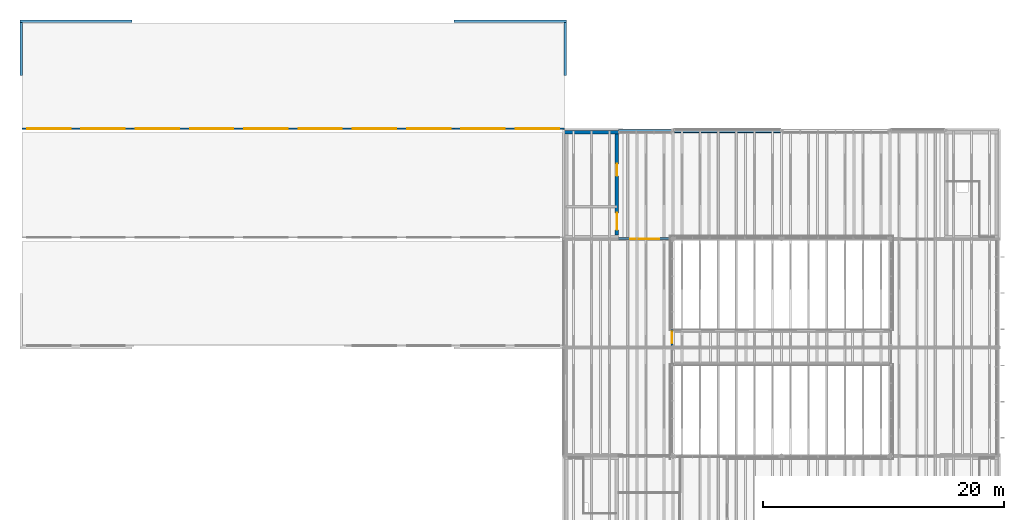
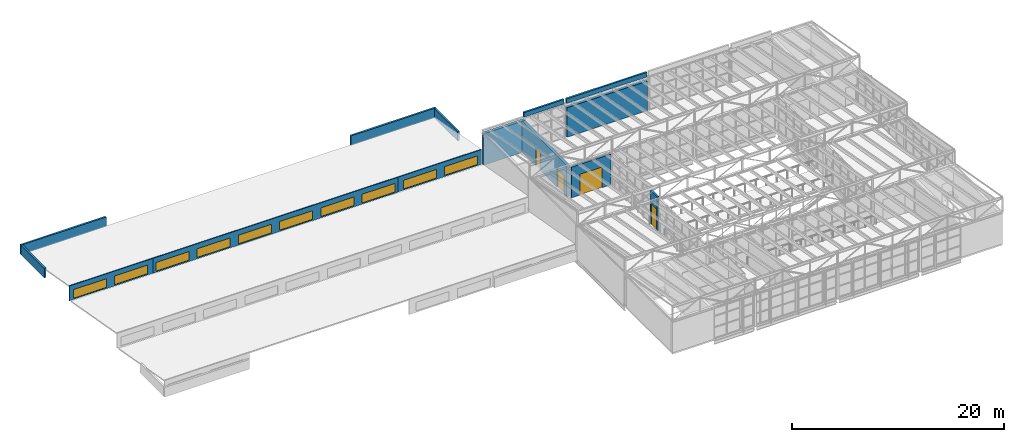
"""IFC4 building model written with IfcOpenShell, lengths in metres."""

from ifc_helpers import new_model, si_unit, direction, frame, frame_2d, origin, place, context, subcontext, project, spatial, rectangle, extrude, material, layer, layer_set, type_object, element, fill, save


model = new_model("IFC4")

# Units and contexts
model_context = context("Model", 3, precision=1e-05, world=origin(), true_north=direction((0.0, 1.0)))
body_context = subcontext(model_context, "Body", "Model", "MODEL_VIEW")
ifc_project = project(units=[si_unit("LENGTHUNIT", "METRE"), si_unit("AREAUNIT", "SQUARE_METRE"), si_unit("VOLUMEUNIT", "CUBIC_METRE"), si_unit("PLANEANGLEUNIT", "RADIAN"), si_unit("MASSUNIT", "GRAM", prefix="KILO")], contexts=[model_context])

# Site, building, storey
site_placement = place(None, origin())
site = spatial("IfcSite", under=ifc_project, at=site_placement, CompositionType="ELEMENT")
building_placement = place(site_placement, origin())
building = spatial("IfcBuilding", under=site, at=building_placement, Name="Halyard Row Museum", CompositionType="ELEMENT")
storey_1_placement = place(building_placement, frame((0.0, 0.0, 21.199951171875)))
storey_1 = spatial("IfcBuildingStorey", under=building, at=storey_1_placement, Name="L04", CompositionType="ELEMENT", Elevation=21.199951171875)

# Wall, openings, doors
ifc_material_1 = material(Name="Concrete 40 MPa", Category="concrete")
ifc_layer_1 = layer(ifc_material_1, 0.300048828125)
ifc_layer_set_1 = layer_set([ifc_layer_1], Name="Concrete 40 MPa")
wall_type_1 = type_object("IfcWallType", Name="Core wall 300 lift shaft", PredefinedType="SOLIDWALL", material=ifc_layer_set_1)
wall_1_placement = place(storey_1_placement, frame((76.35009765625, 27.300048828125, 0.0), z_axis=(0.0, 0.0, 1.0), x_axis=(0.0, 1.0, 0.0)))
wall_1 = element("IfcWall", 1, at=wall_1_placement, inside=storey_1, type_object=wall_type_1, Name="Core wall K7 E L04", PredefinedType="SOLIDWALL", context=body_context, shape_type="SweptSolid", body=[
    extrude(rectangle(XDim=8.39990234375, YDim=0.300048828125, at=frame_2d((4.199951171875, 0.0))), origin(), (0.0, 0.0, 1.0), 3.628173828125),
])
opening_1_placement = place(wall_1_placement, frame((0.449951171875, 0.0, 0.0)))
opening_1 = element("IfcOpeningElement", 2, at=opening_1_placement, cuts=wall_1, Name="Opening LDPL1-L04", PredefinedType="OPENING", context=body_context, shape_type="SweptSolid", body=[
    extrude(rectangle(XDim=1.39990234375, YDim=2.10009765625, at=frame_2d((0.699951171875, 1.050048828125))), frame((0.0, 0.159912109375, 0.0), z_axis=(0.0, -1.0, 0.0), x_axis=(1.0, 0.0, 0.0)), (0.0, 0.0, 1.0), 0.320068359375),
])
opening_2_placement = place(wall_1_placement, frame((4.925048828125, 0.0, 0.0)))
opening_2 = element("IfcOpeningElement", 3, at=opening_2_placement, cuts=wall_1, Name="Opening DL04-004", PredefinedType="OPENING", context=body_context, shape_type="SweptSolid", body=[
    extrude(rectangle(XDim=1.0, YDim=2.10009765625, at=frame_2d((0.5, 1.050048828125))), frame((0.0, 0.159912109375, 0.0), z_axis=(0.0, -1.0, 0.0), x_axis=(1.0, 0.0, 0.0)), (0.0, 0.0, 1.0), 0.320068359375),
])
ifc_material_2 = material(Name="Stainless steel sliding car and landing doors", Category="steel")
door_type_1 = type_object("IfcDoorType", Name="Lift landing door 1400 x 2100", OperationType="SLIDING_TO_LEFT", PredefinedType="DOOR", material=ifc_material_2)
door_1_placement = place(opening_1_placement, origin())
door_1 = element("IfcDoor", 4, at=door_1_placement, inside=storey_1, type_object=door_type_1, Name="Landing door PL1 E L04", OperationType="SLIDING_TO_LEFT", OverallHeight=2.10009765625, OverallWidth=1.39990234375, PredefinedType="DOOR", context=body_context, shape_type="SweptSolid", body=[
    extrude(rectangle(XDim=1.39990234375, YDim=2.10009765625, at=frame_2d((0.699951171875, 1.050048828125))), frame((0.0, 0.02490234375, 0.0), z_axis=(0.0, -1.0, 0.0), x_axis=(1.0, 0.0, 0.0)), (0.0, 0.0, 1.0), 0.050048828125),
])
fill(opening_1, door_1)
ifc_material_3 = material(Name="Galvanised steel door leaf and frame", Category="steel")
door_type_2 = type_object("IfcDoorType", Name="Riser door 1000 x 2100 fire rated", OperationType="NOTDEFINED", PredefinedType="DOOR", material=ifc_material_3)
door_2_placement = place(opening_2_placement, frame((1.0, 0.0, 0.0), z_axis=(0.0, 0.0, 1.0), x_axis=(-1.0, 0.0, 0.0)))
door_2 = element("IfcDoor", 5, at=door_2_placement, inside=storey_1, type_object=door_type_2, Name="Riser door K7 L04", OperationType="SINGLE_SWING_RIGHT", OverallHeight=2.10009765625, OverallWidth=1.0, PredefinedType="DOOR", context=body_context, shape_type="SweptSolid", body=[
    extrude(rectangle(XDim=1.0, YDim=2.10009765625, at=frame_2d((0.5, 1.050048828125))), frame((0.0, 0.02490234375, 0.0), z_axis=(0.0, -1.0, 0.0), x_axis=(1.0, 0.0, 0.0)), (0.0, 0.0, 1.0), 0.050048828125),
])
fill(opening_2, door_2)

# Wall
wall_2_placement = place(storey_1_placement, frame((72.0, 35.85009765625, 0.0), z_axis=(0.0, 0.0, 1.0), x_axis=(1.0, 0.0, 0.0)))
element("IfcWall", 6, at=wall_2_placement, inside=storey_1, type_object=wall_type_1, Name="Core wall K7 N L04", PredefinedType="SOLIDWALL", context=body_context, shape_type="SweptSolid", body=[
    extrude(rectangle(XDim=4.5, YDim=0.300048828125, at=frame_2d((2.25, 0.0))), origin(), (0.0, 0.0, 1.0), 3.628173828125),
])

# Wall, opening, door
ifc_material_4 = material(Name="Powder-coated aluminium section", Category="aluminium")
ifc_layer_2 = layer(ifc_material_4, 0.199951171875)
ifc_layer_set_2 = layer_set([ifc_layer_2], Name="Powder-coated aluminium section")
wall_type_2 = type_object("IfcWallType", Name="Fire-resisting screen frame 200", PredefinedType="SOLIDWALL", material=ifc_layer_set_2)
wall_3_placement = place(storey_1_placement, frame((80.919921875, 18.177734375, 0.0), z_axis=(0.0, 0.0, 1.0), x_axis=(0.0, 1.0, 0.0)))
wall_3 = element("IfcWall", 7, at=wall_3_placement, inside=storey_1, type_object=wall_type_2, Name="Wall WL04-806", PredefinedType="SOLIDWALL", context=body_context, shape_type="SweptSolid", body=[
    extrude(rectangle(XDim=1.322265625, YDim=0.199951171875, at=frame_2d((0.6611328125, 0.0))), origin(), (0.0, 0.0, 1.0), 3.878173828125),
])
opening_3_placement = place(wall_3_placement, frame((0.1611328125, 0.0, 0.0)))
opening_3 = element("IfcOpeningElement", 8, at=opening_3_placement, cuts=wall_3, Name="Opening DL04-402", PredefinedType="OPENING", context=body_context, shape_type="SweptSolid", body=[
    extrude(rectangle(XDim=1.0, YDim=2.39990234375, at=frame_2d((0.5, 1.199951171875))), frame((0.0, 0.10986328125, 0.0), z_axis=(0.0, -1.0, 0.0), x_axis=(1.0, 0.0, 0.0)), (0.0, 0.0, 1.0), 0.219970703125),
])
ifc_material_5 = material(Name="Powder-coated aluminium section", Category="aluminium")
door_type_3 = type_object("IfcDoorType", Name="Door DE10 atrium screen single 1000 x 2400", OperationType="NOTDEFINED", PredefinedType="DOOR", material=ifc_material_5)
door_3_placement = place(opening_3_placement, origin())
door_3 = element("IfcDoor", 9, at=door_3_placement, inside=storey_1, type_object=door_type_3, Name="Door DL04-402", OperationType="SINGLE_SWING_LEFT", OverallHeight=2.39990234375, OverallWidth=1.0, PredefinedType="DOOR", context=body_context, shape_type="SweptSolid", body=[
    extrude(rectangle(XDim=1.0, YDim=2.39990234375, at=frame_2d((0.5, 1.199951171875))), frame((0.0, 0.02490234375, 0.0), z_axis=(0.0, -1.0, 0.0), x_axis=(1.0, 0.0, 0.0)), (0.0, 0.0, 1.0), 0.050048828125),
])
fill(opening_3, door_3)

ifc_material_6 = material(Name="Plasterboard on steel studs with mineral wool", Category="steel")
ifc_layer_3 = layer(ifc_material_6, 0.199951171875)
ifc_layer_set_3 = layer_set([ifc_layer_3], Name="Plasterboard on steel studs with mineral wool")
wall_type_3 = type_object("IfcWallType", Name="Gallery wall 200 double stud fire rated", PredefinedType="PARTITIONING", material=ifc_layer_set_3)
wall_4_placement = place(storey_1_placement, frame((76.5, 27.0, 0.0), z_axis=(0.0, 0.0, 1.0), x_axis=(1.0, 0.0, 0.0)))
wall_4 = element("IfcWall", 10, at=wall_4_placement, inside=storey_1, type_object=wall_type_3, Name="Partition Skylit Gallery West / Lift Lobby L04", PredefinedType="PARTITIONING", context=body_context, shape_type="SweptSolid", body=[
    extrude(rectangle(XDim=4.322265625, YDim=0.199951171875, at=frame_2d((2.1611328125, 0.0))), origin(), (0.0, 0.0, 1.0), 3.539794921875),
])
opening_4_placement = place(wall_4_placement, frame((0.955078125, 0.0, 0.0)))
opening_4 = element("IfcOpeningElement", 11, at=opening_4_placement, cuts=wall_4, Name="Opening DL04-006", PredefinedType="OPENING", context=body_context, shape_type="SweptSolid", body=[
    extrude(rectangle(XDim=2.39990234375, YDim=2.39990234375, at=frame_2d((1.199951171875, 1.199951171875))), frame((0.0, 0.10986328125, 0.0), z_axis=(0.0, -1.0, 0.0), x_axis=(1.0, 0.0, 0.0)), (0.0, 0.0, 1.0), 0.219970703125),
])
ifc_material_7 = material(Name="Timber veneered door leaf and softwood frame", Category="wood")
door_type_4 = type_object("IfcDoorType", Name="Double door 2400 x 2400 gallery fire rated", OperationType="NOTDEFINED", PredefinedType="DOOR", material=ifc_material_7)
door_4_placement = place(opening_4_placement, frame((2.39990234375, 0.0, 0.0), z_axis=(0.0, 0.0, 1.0), x_axis=(-1.0, 0.0, 0.0)))
door_4 = element("IfcDoor", 12, at=door_4_placement, inside=storey_1, type_object=door_type_4, Name="Door Skylit Gallery West to Lift Lobby L04", OperationType="DOUBLE_DOOR_SINGLE_SWING", OverallHeight=2.39990234375, OverallWidth=2.39990234375, PredefinedType="DOOR", context=body_context, shape_type="SweptSolid", body=[
    extrude(rectangle(XDim=2.39990234375, YDim=2.39990234375, at=frame_2d((1.199951171875, 1.199951171875))), frame((0.0, 0.02490234375, 0.0), z_axis=(0.0, -1.0, 0.0), x_axis=(1.0, 0.0, 0.0)), (0.0, 0.0, 1.0), 0.050048828125),
])
fill(opening_4, door_4)

# Walls
ifc_material_8 = material(Name="Fire-retardant timber rainscreen on insulated steel-stud wall", Category="steel")
ifc_layer_4 = layer(ifc_material_8, 0.199951171875)
ifc_layer_set_4 = layer_set([ifc_layer_4], Name="Fire-retardant timber rainscreen on insulated steel-stud wall")
wall_type_4 = type_object("IfcWallType", Name="Parapet 200 timber-clad", PredefinedType="PARAPET", material=ifc_layer_set_4)
wall_5_placement = place(storey_1_placement, frame((81.125, 35.909912109375, 3.878173828125), z_axis=(0.0, 0.0, 1.0), x_axis=(1.0, 0.0, 0.0)))
element("IfcWall", 13, at=wall_5_placement, inside=storey_1, type_object=wall_type_4, Name="Wall PAL04-51", PredefinedType="PARAPET", context=body_context, shape_type="SweptSolid", body=[
    extrude(rectangle(XDim=8.77490234375, YDim=0.199951171875, at=frame_2d((4.387451171875, 0.0))), origin(), (0.0, 0.0, 1.0), 0.52197265625),
])
wall_6_placement = place(storey_1_placement, frame((76.5, 35.9599609375, 3.878173828125), z_axis=(0.0, 0.0, 1.0), x_axis=(1.0, 0.0, 0.0)))
element("IfcWall", 14, at=wall_6_placement, inside=storey_1, type_object=wall_type_4, Name="Wall PAL04-53", PredefinedType="PARAPET", context=body_context, shape_type="SweptSolid", body=[
    extrude(rectangle(XDim=4.375, YDim=0.199951171875, at=frame_2d((2.1875, 0.0))), origin(), (0.0, 0.0, 1.0), 0.52197265625),
])
ifc_material_9 = material(Name="Fire-retardant timber rainscreen on insulated steel-stud wall", Category="steel")
ifc_layer_5 = layer(ifc_material_9, 0.300048828125)
ifc_layer_set_5 = layer_set([ifc_layer_5], Name="Fire-retardant timber rainscreen on insulated steel-stud wall")
wall_type_5 = type_object("IfcWallType", Name="Rainscreen wall 300 timber-clad", PredefinedType="SOLIDWALL", material=ifc_layer_set_5)
wall_7_placement = place(storey_1_placement, frame((81.125, 35.909912109375, 0.0), z_axis=(0.0, 0.0, 1.0), x_axis=(1.0, 0.0, 0.0)))
element("IfcWall", 15, at=wall_7_placement, inside=storey_1, type_object=wall_type_5, Name="Wall WL04-801", PredefinedType="SOLIDWALL", context=body_context, shape_type="SweptSolid", body=[
    extrude(rectangle(XDim=8.77490234375, YDim=0.300048828125, at=frame_2d((4.387451171875, 0.0))), origin(), (0.0, 0.0, 1.0), 3.419677734375),
])
ifc_material_10 = material(Name="Standing-seam roofing on insulated timber deck", Category="wood")
ifc_layer_6 = layer(ifc_material_10, 0.199951171875)
ifc_layer_set_6 = layer_set([ifc_layer_6], Name="Standing-seam roofing on insulated timber deck")
wall_type_6 = type_object("IfcWallType", Name="Roof parapet 200 timber-clad 1100", PredefinedType="PARAPET", material=ifc_layer_set_6)
wall_8_placement = place(storey_1_placement, frame((26.85009765625, 45.050048828125, -0.121826171875), z_axis=(0.0, 0.0, 1.0), x_axis=(1.0, 0.0, 0.0)))
element("IfcWall", 16, at=wall_8_placement, inside=storey_1, type_object=wall_type_6, Name="Wall PAC-01", PredefinedType="PARAPET", context=body_context, shape_type="SweptSolid", body=[
    extrude(rectangle(XDim=9.2998046875, YDim=0.199951171875, at=frame_2d((4.64990234375, 0.0))), origin(), (0.0, 0.0, 1.0), 1.10009765625),
])
wall_9_placement = place(storey_1_placement, frame((26.949951171875, 40.550048828125, -0.121826171875), z_axis=(0.0, 0.0, 1.0), x_axis=(0.0, 1.0, 0.0)))
element("IfcWall", 17, at=wall_9_placement, inside=storey_1, type_object=wall_type_6, Name="Wall PAC-02", PredefinedType="PARAPET", context=body_context, shape_type="SweptSolid", body=[
    extrude(rectangle(XDim=4.39990234375, YDim=0.199951171875, at=frame_2d((2.199951171875, 0.0))), origin(), (0.0, 0.0, 1.0), 1.10009765625),
])
wall_10_placement = place(storey_1_placement, frame((62.85009765625, 45.050048828125, -0.121826171875), z_axis=(0.0, 0.0, 1.0), x_axis=(1.0, 0.0, 0.0)))
element("IfcWall", 18, at=wall_10_placement, inside=storey_1, type_object=wall_type_6, Name="Wall PAC-03", PredefinedType="PARAPET", context=body_context, shape_type="SweptSolid", body=[
    extrude(rectangle(XDim=9.2998046875, YDim=0.199951171875, at=frame_2d((4.64990234375, 0.0))), origin(), (0.0, 0.0, 1.0), 1.10009765625),
])
wall_11_placement = place(storey_1_placement, frame((72.050048828125, 40.550048828125, -0.121826171875), z_axis=(0.0, 0.0, 1.0), x_axis=(0.0, 1.0, 0.0)))
element("IfcWall", 19, at=wall_11_placement, inside=storey_1, type_object=wall_type_6, Name="Wall PAC-04", PredefinedType="PARAPET", context=body_context, shape_type="SweptSolid", body=[
    extrude(rectangle(XDim=4.39990234375, YDim=0.199951171875, at=frame_2d((2.199951171875, 0.0))), origin(), (0.0, 0.0, 1.0), 1.10009765625),
])

# Wall, openings
ifc_material_11 = material(Name="Insulated steel-stud upstand with aluminium cladding", Category="steel")
ifc_layer_7 = layer(ifc_material_11, 0.10009765625)
ifc_layer_set_7 = layer_set([ifc_layer_7], Name="Insulated steel-stud upstand with aluminium cladding")
wall_type_7 = type_object("IfcWallType", Name="Rooflight upstand wall 100", PredefinedType="SOLIDWALL", material=ifc_layer_set_7)
wall_12_placement = place(storey_1_placement, frame((27.0, 36.12451171875, -0.121826171875), z_axis=(0.0, 0.0, 1.0), x_axis=(1.0, 0.0, 0.0)))
wall_12 = element("IfcWall", 20, at=wall_12_placement, inside=storey_1, type_object=wall_type_7, Name="Wall UWV1-T3a-1", PredefinedType="SOLIDWALL", context=body_context, shape_type="SweptSolid", body=[
    extrude(rectangle(XDim=9.14990234375, YDim=0.10009765625, at=frame_2d((4.574951171875, 0.0))), origin(), (0.0, 0.0, 1.0), 1.721923828125),
])
opening_5_placement = place(wall_12_placement, frame((0.449951171875, 0.0, 0.14990234375)))
opening_5 = element("IfcOpeningElement", 21, at=opening_5_placement, cuts=wall_12, Name="Opening RLV1-T3a-1-01", PredefinedType="OPENING", context=body_context, shape_type="SweptSolid", body=[
    extrude(rectangle(XDim=3.60009765625, YDim=1.0, at=frame_2d((1.800048828125, 0.5))), frame((0.0, 0.06005859375, 0.0), z_axis=(0.0, -1.0, 0.0), x_axis=(1.0, 0.0, 0.0)), (0.0, 0.0, 1.0), 0.1201171875),
])
opening_6_placement = place(wall_12_placement, frame((4.949951171875, 0.0, 0.14990234375)))
opening_6 = element("IfcOpeningElement", 22, at=opening_6_placement, cuts=wall_12, Name="Opening RLV1-T3a-1-02", PredefinedType="OPENING", context=body_context, shape_type="SweptSolid", body=[
    extrude(rectangle(XDim=3.60009765625, YDim=1.0, at=frame_2d((1.800048828125, 0.5))), frame((0.0, 0.06005859375, 0.0), z_axis=(0.0, -1.0, 0.0), x_axis=(1.0, 0.0, 0.0)), (0.0, 0.0, 1.0), 0.1201171875),
])

# Storey
storey_2_placement = place(building_placement, frame((0.0, 0.0, 13.39990234375)))
storey_2 = spatial("IfcBuildingStorey", under=building, at=storey_2_placement, Name="L03", CompositionType="ELEMENT", Elevation=13.39990234375)

# Window
ifc_material_12 = material(Name="Double glazed unit, low-emissivity", Category="glass")
window_type = type_object("IfcWindowType", Name="Rooflight 3600 x 1000 riser", PartitioningType="SINGLE_PANEL", PredefinedType="SKYLIGHT", material=ifc_material_12)
window_1_placement = place(opening_5_placement, origin())
window_1 = element("IfcWindow", 23, at=window_1_placement, inside=storey_2, type_object=window_type, Name="Rooflight", OverallHeight=1.0, OverallWidth=3.60009765625, PartitioningType="SINGLE_PANEL", PredefinedType="SKYLIGHT", context=body_context, shape_type="SweptSolid", body=[
    extrude(rectangle(XDim=3.60009765625, YDim=1.0, at=frame_2d((1.800048828125, 0.5))), frame((0.0, 0.030029296875, 0.0), z_axis=(0.0, -1.0, 0.0), x_axis=(1.0, 0.0, 0.0)), (0.0, 0.0, 1.0), 0.06005859375),
])

fill(opening_5, window_1)

window_2_placement = place(opening_6_placement, origin())
window_2 = element("IfcWindow", 24, at=window_2_placement, inside=storey_2, type_object=window_type, Name="Rooflight", OverallHeight=1.0, OverallWidth=3.60009765625, PartitioningType="SINGLE_PANEL", PredefinedType="SKYLIGHT", context=body_context, shape_type="SweptSolid", body=[
    extrude(rectangle(XDim=3.60009765625, YDim=1.0, at=frame_2d((1.800048828125, 0.5))), frame((0.0, 0.030029296875, 0.0), z_axis=(0.0, -1.0, 0.0), x_axis=(1.0, 0.0, 0.0)), (0.0, 0.0, 1.0), 0.06005859375),
])

fill(opening_6, window_2)

# Wall, openings, windows
wall_13_placement = place(storey_1_placement, frame((36.14990234375, 36.12451171875, -0.146240234375), z_axis=(0.0, 0.0, 1.0), x_axis=(1.0, 0.0, 0.0)))
wall_13 = element("IfcWall", 25, at=wall_13_placement, inside=storey_1, type_object=wall_type_7, Name="Wall UWV1-T3a-2", PredefinedType="SOLIDWALL", context=body_context, shape_type="SweptSolid", body=[
    extrude(rectangle(XDim=26.7001953125, YDim=0.10009765625, at=frame_2d((13.35009765625, 0.0))), origin(), (0.0, 0.0, 1.0), 1.746337890625),
])
opening_7_placement = place(wall_13_placement, frame((0.300048828125, 0.0, 0.14990234375)))
opening_7 = element("IfcOpeningElement", 26, at=opening_7_placement, cuts=wall_13, Name="Opening RLV1-T3a-2-01", PredefinedType="OPENING", context=body_context, shape_type="SweptSolid", body=[
    extrude(rectangle(XDim=3.60009765625, YDim=1.0, at=frame_2d((1.800048828125, 0.5))), frame((0.0, 0.06005859375, 0.0), z_axis=(0.0, -1.0, 0.0), x_axis=(1.0, 0.0, 0.0)), (0.0, 0.0, 1.0), 0.1201171875),
])
opening_8_placement = place(wall_13_placement, frame((4.800048828125, 0.0, 0.14990234375)))
opening_8 = element("IfcOpeningElement", 27, at=opening_8_placement, cuts=wall_13, Name="Opening RLV1-T3a-2-02", PredefinedType="OPENING", context=body_context, shape_type="SweptSolid", body=[
    extrude(rectangle(XDim=3.60009765625, YDim=1.0, at=frame_2d((1.800048828125, 0.5))), frame((0.0, 0.06005859375, 0.0), z_axis=(0.0, -1.0, 0.0), x_axis=(1.0, 0.0, 0.0)), (0.0, 0.0, 1.0), 0.1201171875),
])
opening_9_placement = place(wall_13_placement, frame((9.300048828125, 0.0, 0.14990234375)))
opening_9 = element("IfcOpeningElement", 28, at=opening_9_placement, cuts=wall_13, Name="Opening RLV1-T3a-2-03", PredefinedType="OPENING", context=body_context, shape_type="SweptSolid", body=[
    extrude(rectangle(XDim=3.60009765625, YDim=1.0, at=frame_2d((1.800048828125, 0.5))), frame((0.0, 0.06005859375, 0.0), z_axis=(0.0, -1.0, 0.0), x_axis=(1.0, 0.0, 0.0)), (0.0, 0.0, 1.0), 0.1201171875),
])
opening_10_placement = place(wall_13_placement, frame((13.800048828125, 0.0, 0.14990234375)))
opening_10 = element("IfcOpeningElement", 29, at=opening_10_placement, cuts=wall_13, Name="Opening RLV1-T3a-2-04", PredefinedType="OPENING", context=body_context, shape_type="SweptSolid", body=[
    extrude(rectangle(XDim=3.60009765625, YDim=1.0, at=frame_2d((1.800048828125, 0.5))), frame((0.0, 0.06005859375, 0.0), z_axis=(0.0, -1.0, 0.0), x_axis=(1.0, 0.0, 0.0)), (0.0, 0.0, 1.0), 0.1201171875),
])
opening_11_placement = place(wall_13_placement, frame((18.300048828125, 0.0, 0.14990234375)))
opening_11 = element("IfcOpeningElement", 30, at=opening_11_placement, cuts=wall_13, Name="Opening RLV1-T3a-2-05", PredefinedType="OPENING", context=body_context, shape_type="SweptSolid", body=[
    extrude(rectangle(XDim=3.60009765625, YDim=1.0, at=frame_2d((1.800048828125, 0.5))), frame((0.0, 0.06005859375, 0.0), z_axis=(0.0, -1.0, 0.0), x_axis=(1.0, 0.0, 0.0)), (0.0, 0.0, 1.0), 0.1201171875),
])
opening_12_placement = place(wall_13_placement, frame((22.800048828125, 0.0, 0.14990234375)))
opening_12 = element("IfcOpeningElement", 31, at=opening_12_placement, cuts=wall_13, Name="Opening RLV1-T3a-2-06", PredefinedType="OPENING", context=body_context, shape_type="SweptSolid", body=[
    extrude(rectangle(XDim=3.60009765625, YDim=1.0, at=frame_2d((1.800048828125, 0.5))), frame((0.0, 0.06005859375, 0.0), z_axis=(0.0, -1.0, 0.0), x_axis=(1.0, 0.0, 0.0)), (0.0, 0.0, 1.0), 0.1201171875),
])
window_3_placement = place(opening_7_placement, origin())
window_3 = element("IfcWindow", 32, at=window_3_placement, inside=storey_2, type_object=window_type, Name="Rooflight", OverallHeight=1.0, OverallWidth=3.60009765625, PartitioningType="SINGLE_PANEL", PredefinedType="SKYLIGHT", context=body_context, shape_type="SweptSolid", body=[
    extrude(rectangle(XDim=3.60009765625, YDim=1.0, at=frame_2d((1.800048828125, 0.5))), frame((0.0, 0.030029296875, 0.0), z_axis=(0.0, -1.0, 0.0), x_axis=(1.0, 0.0, 0.0)), (0.0, 0.0, 1.0), 0.06005859375),
])
fill(opening_7, window_3)
window_4_placement = place(opening_8_placement, origin())
window_4 = element("IfcWindow", 33, at=window_4_placement, inside=storey_2, type_object=window_type, Name="Rooflight", OverallHeight=1.0, OverallWidth=3.60009765625, PartitioningType="SINGLE_PANEL", PredefinedType="SKYLIGHT", context=body_context, shape_type="SweptSolid", body=[
    extrude(rectangle(XDim=3.60009765625, YDim=1.0, at=frame_2d((1.800048828125, 0.5))), frame((0.0, 0.030029296875, 0.0), z_axis=(0.0, -1.0, 0.0), x_axis=(1.0, 0.0, 0.0)), (0.0, 0.0, 1.0), 0.06005859375),
])
fill(opening_8, window_4)
window_5_placement = place(opening_9_placement, origin())
window_5 = element("IfcWindow", 34, at=window_5_placement, inside=storey_2, type_object=window_type, Name="Rooflight", OverallHeight=1.0, OverallWidth=3.60009765625, PartitioningType="SINGLE_PANEL", PredefinedType="SKYLIGHT", context=body_context, shape_type="SweptSolid", body=[
    extrude(rectangle(XDim=3.60009765625, YDim=1.0, at=frame_2d((1.800048828125, 0.5))), frame((0.0, 0.030029296875, 0.0), z_axis=(0.0, -1.0, 0.0), x_axis=(1.0, 0.0, 0.0)), (0.0, 0.0, 1.0), 0.06005859375),
])
fill(opening_9, window_5)
window_6_placement = place(opening_10_placement, origin())
window_6 = element("IfcWindow", 35, at=window_6_placement, inside=storey_2, type_object=window_type, Name="Rooflight", OverallHeight=1.0, OverallWidth=3.60009765625, PartitioningType="SINGLE_PANEL", PredefinedType="SKYLIGHT", context=body_context, shape_type="SweptSolid", body=[
    extrude(rectangle(XDim=3.60009765625, YDim=1.0, at=frame_2d((1.800048828125, 0.5))), frame((0.0, 0.030029296875, 0.0), z_axis=(0.0, -1.0, 0.0), x_axis=(1.0, 0.0, 0.0)), (0.0, 0.0, 1.0), 0.06005859375),
])
fill(opening_10, window_6)
window_7_placement = place(opening_11_placement, origin())
window_7 = element("IfcWindow", 36, at=window_7_placement, inside=storey_2, type_object=window_type, Name="Rooflight", OverallHeight=1.0, OverallWidth=3.60009765625, PartitioningType="SINGLE_PANEL", PredefinedType="SKYLIGHT", context=body_context, shape_type="SweptSolid", body=[
    extrude(rectangle(XDim=3.60009765625, YDim=1.0, at=frame_2d((1.800048828125, 0.5))), frame((0.0, 0.030029296875, 0.0), z_axis=(0.0, -1.0, 0.0), x_axis=(1.0, 0.0, 0.0)), (0.0, 0.0, 1.0), 0.06005859375),
])
fill(opening_11, window_7)
window_8_placement = place(opening_12_placement, origin())
window_8 = element("IfcWindow", 37, at=window_8_placement, inside=storey_2, type_object=window_type, Name="Rooflight", OverallHeight=1.0, OverallWidth=3.60009765625, PartitioningType="SINGLE_PANEL", PredefinedType="SKYLIGHT", context=body_context, shape_type="SweptSolid", body=[
    extrude(rectangle(XDim=3.60009765625, YDim=1.0, at=frame_2d((1.800048828125, 0.5))), frame((0.0, 0.030029296875, 0.0), z_axis=(0.0, -1.0, 0.0), x_axis=(1.0, 0.0, 0.0)), (0.0, 0.0, 1.0), 0.06005859375),
])
fill(opening_12, window_8)

wall_14_placement = place(storey_1_placement, frame((62.85009765625, 36.12451171875, -0.121826171875), z_axis=(0.0, 0.0, 1.0), x_axis=(1.0, 0.0, 0.0)))
wall_14 = element("IfcWall", 38, at=wall_14_placement, inside=storey_1, type_object=wall_type_7, Name="Wall UWV1-T3a-3", PredefinedType="SOLIDWALL", context=body_context, shape_type="SweptSolid", body=[
    extrude(rectangle(XDim=9.14990234375, YDim=0.10009765625, at=frame_2d((4.574951171875, 0.0))), origin(), (0.0, 0.0, 1.0), 1.721923828125),
])
opening_13_placement = place(wall_14_placement, frame((0.60009765625, 0.0, 0.14990234375)))
opening_13 = element("IfcOpeningElement", 39, at=opening_13_placement, cuts=wall_14, Name="Opening RLV1-T3a-3-01", PredefinedType="OPENING", context=body_context, shape_type="SweptSolid", body=[
    extrude(rectangle(XDim=3.60009765625, YDim=1.0, at=frame_2d((1.800048828125, 0.5))), frame((0.0, 0.06005859375, 0.0), z_axis=(0.0, -1.0, 0.0), x_axis=(1.0, 0.0, 0.0)), (0.0, 0.0, 1.0), 0.1201171875),
])
opening_14_placement = place(wall_14_placement, frame((5.10009765625, 0.0, 0.14990234375)))
opening_14 = element("IfcOpeningElement", 40, at=opening_14_placement, cuts=wall_14, Name="Opening RLV1-T3a-3-02", PredefinedType="OPENING", context=body_context, shape_type="SweptSolid", body=[
    extrude(rectangle(XDim=3.60009765625, YDim=1.0, at=frame_2d((1.800048828125, 0.5))), frame((0.0, 0.06005859375, 0.0), z_axis=(0.0, -1.0, 0.0), x_axis=(1.0, 0.0, 0.0)), (0.0, 0.0, 1.0), 0.1201171875),
])
window_9_placement = place(opening_13_placement, origin())
window_9 = element("IfcWindow", 41, at=window_9_placement, inside=storey_2, type_object=window_type, Name="Rooflight", OverallHeight=1.0, OverallWidth=3.60009765625, PartitioningType="SINGLE_PANEL", PredefinedType="SKYLIGHT", context=body_context, shape_type="SweptSolid", body=[
    extrude(rectangle(XDim=3.60009765625, YDim=1.0, at=frame_2d((1.800048828125, 0.5))), frame((0.0, 0.030029296875, 0.0), z_axis=(0.0, -1.0, 0.0), x_axis=(1.0, 0.0, 0.0)), (0.0, 0.0, 1.0), 0.06005859375),
])
fill(opening_13, window_9)
window_10_placement = place(opening_14_placement, origin())
window_10 = element("IfcWindow", 42, at=window_10_placement, inside=storey_2, type_object=window_type, Name="Rooflight", OverallHeight=1.0, OverallWidth=3.60009765625, PartitioningType="SINGLE_PANEL", PredefinedType="SKYLIGHT", context=body_context, shape_type="SweptSolid", body=[
    extrude(rectangle(XDim=3.60009765625, YDim=1.0, at=frame_2d((1.800048828125, 0.5))), frame((0.0, 0.030029296875, 0.0), z_axis=(0.0, -1.0, 0.0), x_axis=(1.0, 0.0, 0.0)), (0.0, 0.0, 1.0), 0.06005859375),
])
fill(opening_14, window_10)

save(model, "model.ifc")
